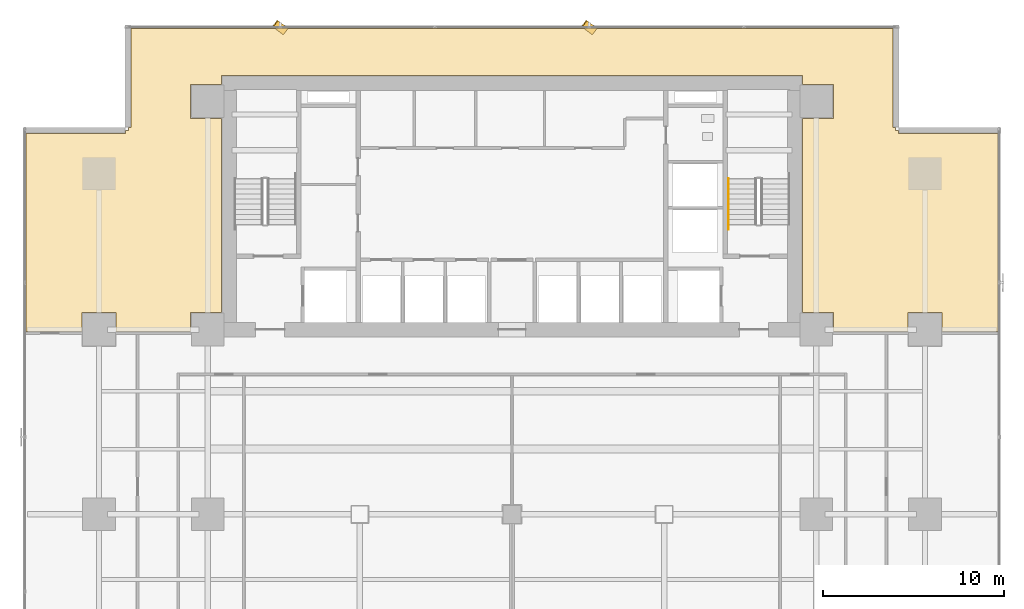
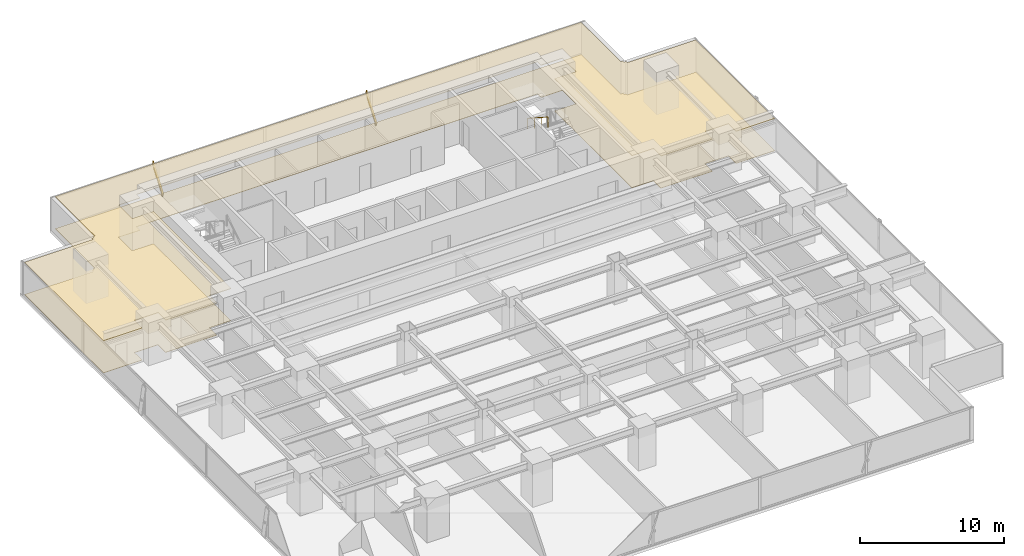
# One storey, part 32 of 34: 2 coverings, 2 shading devices, 1 railing.
"""IFC4 building model written with IfcOpenShell, lengths in metres."""

from ifc_helpers import new_model, si_unit, direction, frame, origin, origin_2d, place, context, subcontext, project, spatial, polyline, rectangle, outline, extrude, source, transform, mapped, material, layer, layer_set, material_profile, profile_set, type_object, element, save


model = new_model("IFC4")

# Units and contexts
model_context = context("Model", 3, precision=1e-05, world=origin(), true_north=direction((0.0, 1.0)))
body_context = subcontext(model_context, "Body", "Model", "MODEL_VIEW")
ifc_project = project(units=[si_unit("LENGTHUNIT", "METRE"), si_unit("AREAUNIT", "SQUARE_METRE"), si_unit("VOLUMEUNIT", "CUBIC_METRE"), si_unit("PLANEANGLEUNIT", "RADIAN"), si_unit("MASSUNIT", "GRAM", prefix="KILO")], contexts=[model_context])

# Site, building, storey
site_placement = place(None, origin())
site = spatial("IfcSite", under=ifc_project, at=site_placement, CompositionType="ELEMENT")
building_placement = place(site_placement, origin())
building = spatial("IfcBuilding", under=site, at=building_placement, Name="Sumidabori Civic Tower", CompositionType="ELEMENT")
storey_placement = place(building_placement, frame((0.0, 0.0, 41.60009765625)))
storey = spatial("IfcBuildingStorey", under=building, at=storey_placement, Name="L10", CompositionType="ELEMENT", Elevation=41.60009765625)

# Coverings
ifc_material_1 = material(Name="Perforated Timber Acoustic Ceiling", Category="wood")
ifc_layer_1 = layer(ifc_material_1, 0.044921875, Name="Perforated Timber Acoustic Ceiling")
ifc_layer_set_1 = layer_set([ifc_layer_1], Name="Perforated Timber Acoustic Ceiling")
covering_type_1 = type_object("IfcCoveringType", Name="CV-CEIL-AC2", PredefinedType="CEILING", material=ifc_layer_set_1)
covering_1_placement = place(storey_placement, frame((0.0, 0.0, 2.7099609375)))
element("IfcCovering", 1, at=covering_1_placement, inside=storey, type_object=covering_type_1, Name="Room Acoustic Ceiling L10-01", PredefinedType="CEILING", context=body_context, shape_type="SweptSolid", body=[
    extrude(outline(polyline([(-21.342041015625, 21.179931640625), (-21.179931640625, 21.179931640625), (-21.179931640625, 21.342041015625), (-21.02197265625, 21.342041015625), (-21.02197265625, 26.830078125), (21.02197265625, 26.830078125), (21.02197265625, 21.342041015625), (21.179931640625, 21.342041015625), (21.179931640625, 21.179931640625), (21.342041015625, 21.179931640625), (21.342041015625, 21.02197265625), (26.830078125, 21.02197265625), (26.830078125, 10.08740234375), (23.739990234375, 10.08740234375), (23.739990234375, 11.139892578125), (21.860107421875, 11.139892578125), (21.860107421875, 10.08740234375), (20.7548828125, 10.08740234375), (20.7548828125, 10.10498046875), (17.739990234375, 10.10498046875), (17.739990234375, 11.139892578125), (16.028076171875, 11.139892578125), (16.028076171875, 21.860107421875), (17.739990234375, 21.860107421875), (17.739990234375, 23.739990234375), (16.028076171875, 23.739990234375), (16.028076171875, 24.22802734375), (-16.028076171875, 24.22802734375), (-16.028076171875, 23.739990234375), (-17.739990234375, 23.739990234375), (-17.739990234375, 21.860107421875), (-16.028076171875, 21.860107421875), (-16.028076171875, 11.139892578125), (-17.739990234375, 11.139892578125), (-17.739990234375, 10.10498046875), (-20.7548828125, 10.10498046875), (-20.7548828125, 10.08740234375), (-21.860107421875, 10.08740234375), (-21.860107421875, 11.139892578125), (-23.739990234375, 11.139892578125), (-23.739990234375, 10.08740234375), (-26.830078125, 10.08740234375), (-26.830078125, 21.02197265625), (-21.342041015625, 21.02197265625), (-21.342041015625, 21.179931640625)])), origin(), (0.0, 0.0, 1.0), 0.044921875),
])
ifc_material_2 = material(Name="Honed Terrazzo Tile Flooring")
ifc_layer_2 = layer(ifc_material_2, 0.030029296875, Name="Honed Terrazzo Tile Flooring")
ifc_layer_set_2 = layer_set([ifc_layer_2], Name="Honed Terrazzo Tile Flooring")
covering_type_2 = type_object("IfcCoveringType", Name="CV-FLR-TER", PredefinedType="FLOORING", material=ifc_layer_set_2)
covering_2_placement = place(storey_placement, origin())
element("IfcCovering", 2, at=covering_2_placement, inside=storey, type_object=covering_type_2, Name="Room Terrazzo Floor L10-01", PredefinedType="FLOORING", context=body_context, shape_type="SweptSolid", body=[
    extrude(outline(polyline([(-21.342041015625, 21.179931640625), (-21.179931640625, 21.179931640625), (-21.179931640625, 21.342041015625), (-21.02197265625, 21.342041015625), (-21.02197265625, 26.830078125), (21.02197265625, 26.830078125), (21.02197265625, 21.342041015625), (21.179931640625, 21.342041015625), (21.179931640625, 21.179931640625), (21.342041015625, 21.179931640625), (21.342041015625, 21.02197265625), (26.830078125, 21.02197265625), (26.830078125, 10.08740234375), (23.739990234375, 10.08740234375), (23.739990234375, 11.139892578125), (21.860107421875, 11.139892578125), (21.860107421875, 10.08740234375), (20.7548828125, 10.08740234375), (20.7548828125, 10.10498046875), (17.739990234375, 10.10498046875), (17.739990234375, 11.139892578125), (16.028076171875, 11.139892578125), (16.028076171875, 21.860107421875), (17.739990234375, 21.860107421875), (17.739990234375, 23.739990234375), (16.028076171875, 23.739990234375), (16.028076171875, 24.22802734375), (-16.028076171875, 24.22802734375), (-16.028076171875, 23.739990234375), (-17.739990234375, 23.739990234375), (-17.739990234375, 21.860107421875), (-16.028076171875, 21.860107421875), (-16.028076171875, 11.139892578125), (-17.739990234375, 11.139892578125), (-17.739990234375, 10.10498046875), (-20.7548828125, 10.10498046875), (-20.7548828125, 10.08740234375), (-21.860107421875, 10.08740234375), (-21.860107421875, 11.139892578125), (-23.739990234375, 11.139892578125), (-23.739990234375, 10.08740234375), (-26.830078125, 10.08740234375), (-26.830078125, 21.02197265625), (-21.342041015625, 21.02197265625), (-21.342041015625, 21.179931640625)])), origin(), (0.0, 0.0, 1.0), 0.02978515625),
])

# Railing
ifc_material_3 = material(Name="Stainless Steel Hairline Finish", Category="steel")
railing_type = type_object("IfcRailingType", Name="RL-HANDRAIL", PredefinedType="HANDRAIL", material=ifc_material_3)
railing_placement = place(storey_placement, frame((11.949951171875, 18.52001953125, 1.97998046875)))
element("IfcRailing", 3, at=railing_placement, inside=storey, type_object=railing_type, Name="L10 ST-2 stair handrail 2", PredefinedType="HANDRAIL", context=body_context, shape_type="SweptSolid", body=[
    extrude(rectangle(XDim=0.048095703125, YDim=0.048095703125, at=origin_2d()), frame((0.0, 0.0, 0.8759765625), z_axis=(0.0, -0.840675598268, 0.541539046124), x_axis=(1.0, 0.0, 0.0)), (0.0, 0.0, 1.0), 3.330810546875),
    extrude(rectangle(XDim=0.0419921875, YDim=0.0419921875, at=origin_2d()), origin(), (0.0, 0.0, 1.0), 0.851806640625),
    extrude(rectangle(XDim=0.0419921875, YDim=0.0419921875, at=origin_2d()), frame((0.0, -0.933349609375, 0.601318359375)), (0.0, 0.0, 1.0), 0.851806640625),
    extrude(rectangle(XDim=0.0419921875, YDim=0.0419921875, at=origin_2d()), frame((0.0, -1.86669921875, 1.202392578125)), (0.0, 0.0, 1.0), 0.851806640625),
    extrude(rectangle(XDim=0.0419921875, YDim=0.0419921875, at=origin_2d()), frame((0.0, -2.800048828125, 1.8037109375)), (0.0, 0.0, 1.0), 0.851806640625),
])

# Shading devices
ifc_material_4 = material(Name="Anodised Bronze Aluminium AW-6063-T6", Category="aluminium")
ifc_material_profile = material_profile(ifc_material_4, rectangle(XDim=0.06005859375, YDim=0.449951171875, at=origin_2d()), Name="BRONZE FIN 450x60")
ifc_profile_set = profile_set([ifc_material_profile], Name="Anodised Bronze Aluminium AW-6063-T6")
shading_device_type = type_object("IfcShadingDeviceType", Name="SH-FIN-450", PredefinedType="USERDEFINED", material=ifc_profile_set)
shared_shape = source(origin(), body_context, "Body", "SweptSolid", [
    extrude(rectangle(XDim=0.06005859375, YDim=0.449951171875, at=origin_2d()), origin(), (0.0, 0.0, 1.0), 2.769775390625),
])
for number, where, z_axis, x_axis, name in (
    (4, (4.5439453125, 26.669921875, 0.02001953125), (-0.202195931323, 0.151691019096, 0.967526041035), (0.773939855131, -0.580623579198, 0.252771358975), "Bronze Anodised Diagonal Fin L10-02"),
    (5, (-12.511962890625, 26.669921875, 0.02001953125), (-0.202195931323, 0.151691019096, 0.967526041035), (0.773939855131, -0.580623579198, 0.252771358975), "Bronze Anodised Diagonal Fin L10-04"),
):
    element("IfcShadingDevice", number, at=place(storey_placement, frame(where, z_axis=z_axis, x_axis=x_axis)), inside=storey, type_object=shading_device_type, Name=name, ObjectType="FIN", PredefinedType="USERDEFINED", context=body_context, shape_type="MappedRepresentation", body=[
        mapped(shared_shape, transform((0.0, 0.0, 0.0), x_axis=(1.0, 0.0, 0.0), y_axis=(0.0, 1.0, 0.0), z_axis=(0.0, 0.0, 1.0), scale=1.0)),
    ])

save(model, "model.ifc")
